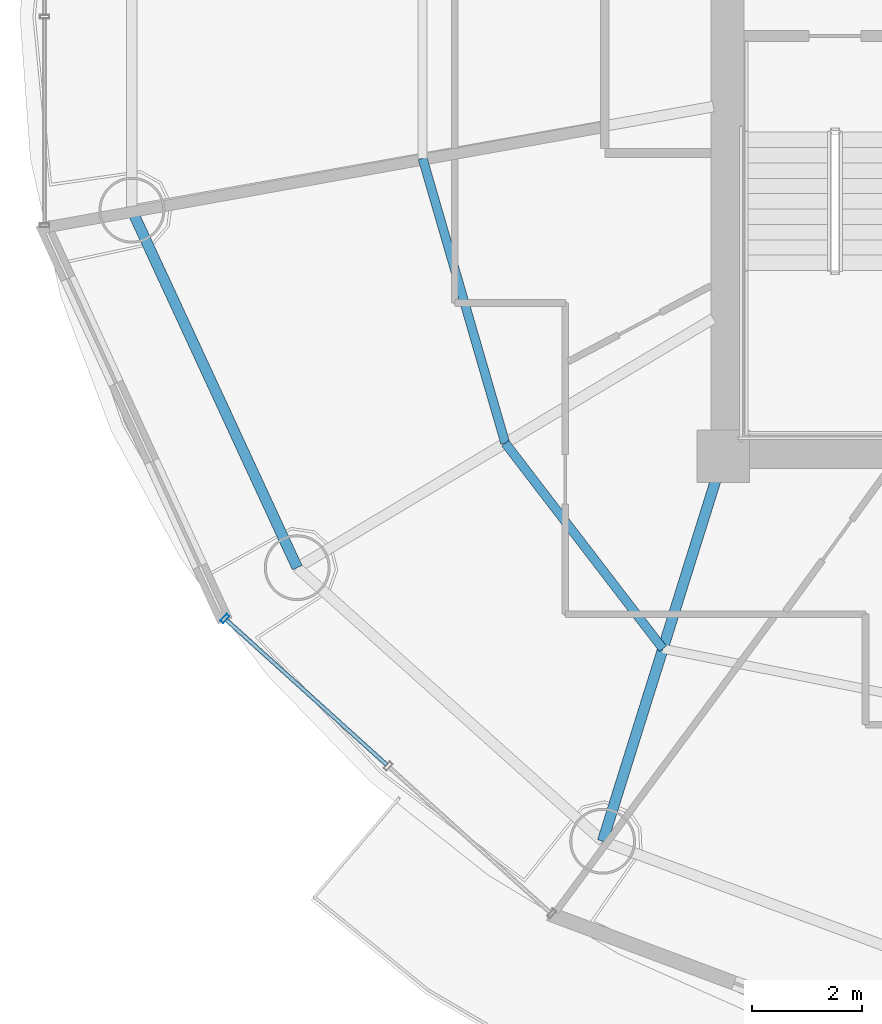
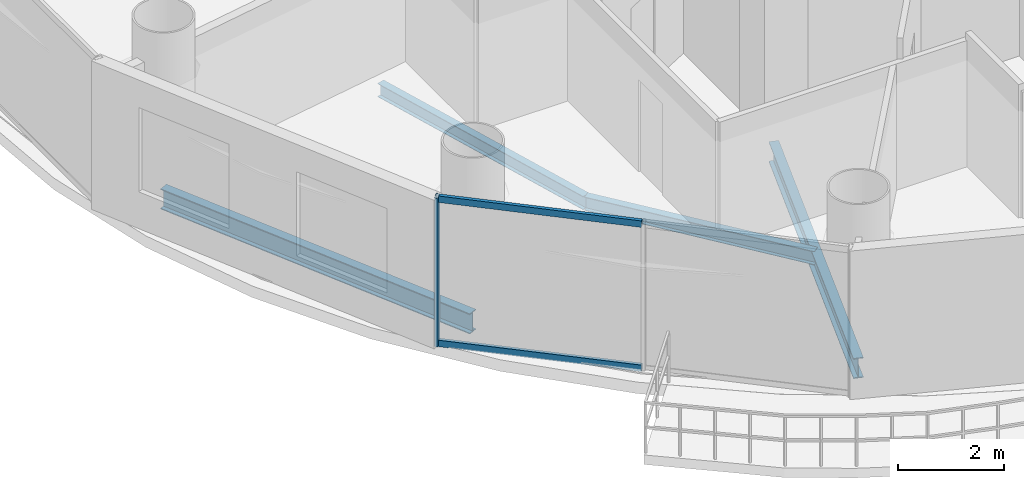
# One storey, part 3 of 27: 4 beams, 3 members, 1 element without a shape of its own.
"""IFC4 building model written with IfcOpenShell, lengths in metres."""

from ifc_helpers import new_model, si_unit, direction, frame, origin, origin_2d, place, context, subcontext, project, spatial, hollow_rectangle, i_section, extrude, source, transform, mapped, material, material_profile, profile_set, type_object, element, aggregate, save


model = new_model("IFC4")

# Units and contexts
model_context = context("Model", 3, precision=1e-05, world=origin(), true_north=direction((-0.2419218956, 0.970295726276)))
body_context = subcontext(model_context, "Body", "Model", "MODEL_VIEW")
ifc_project = project(units=[si_unit("LENGTHUNIT", "METRE"), si_unit("AREAUNIT", "SQUARE_METRE"), si_unit("VOLUMEUNIT", "CUBIC_METRE"), si_unit("PLANEANGLEUNIT", "RADIAN"), si_unit("MASSUNIT", "GRAM", prefix="KILO")], contexts=[model_context])

# Site, building, storey
site_placement = place(None, origin())
site = spatial("IfcSite", under=ifc_project, at=site_placement, CompositionType="ELEMENT")
building_placement = place(site_placement, origin())
building = spatial("IfcBuilding", under=site, at=building_placement, Name="Cobrevalo Terracotta Tower", CompositionType="ELEMENT")
storey_placement = place(building_placement, frame((0.0, 0.0, 194.89990234375)))
storey = spatial("IfcBuildingStorey", under=building, at=storey_placement, Name="L51", CompositionType="ELEMENT", Elevation=194.89990234375)

# Beams
ifc_material_1 = material(Name="Steel S355", Category="steel")
ifc_material_profile_1 = material_profile(ifc_material_1, i_section(OverallWidth=0.194091796875, OverallDepth=0.468994140625, WebThickness=0.011474609375, FlangeThickness=0.0205078125, at=origin_2d()), Name="W 460x106")
ifc_profile_set_1 = profile_set([ifc_material_profile_1], Name="Steel S355")
beam_type_1 = type_object("IfcBeamType", Name="Structural Beam W 460x106 (Steel S355)", PredefinedType="BEAM", material=ifc_profile_set_1)
beam_1_placement = place(storey_placement, frame((26.80517578125, 11.7919921875, -0.49951171875), z_axis=(0.298871212691, 0.954293454984, 0.0), x_axis=(-0.954293454984, 0.298871212691, 0.0)))
element("IfcBeam", 1, at=beam_1_placement, inside=storey, type_object=beam_type_1, Name="L51 radial floor girder 11", PredefinedType="BEAM", context=body_context, shape_type="SweptSolid", body=[
    extrude(i_section(OverallWidth=0.194091796875, OverallDepth=0.468994140625, WebThickness=0.011474609375, FlangeThickness=0.0205078125, at=origin_2d()), origin(), (0.0, 0.0, 1.0), 7.34375),
])
ifc_material_profile_2 = material_profile(ifc_material_1, i_section(OverallWidth=0.1650390625, OverallDepth=0.31005859375, WebThickness=0.005859375, FlangeThickness=0.009765625, at=origin_2d()), Name="W 310x38.7")
ifc_profile_set_2 = profile_set([ifc_material_profile_2], Name="Steel S355")
beam_type_2 = type_object("IfcBeamType", Name="Structural Joist W 310x38.7 (Steel S355)", PredefinedType="JOIST", material=ifc_profile_set_2)
beam_2_placement = place(storey_placement, frame((23.528564453125, 24.221435546875, -0.419921875), z_axis=(0.278757705995, -0.960361463902, 0.0), x_axis=(0.960361463902, 0.278757705995, 0.0)))
element("IfcBeam", 2, at=beam_2_placement, inside=storey, type_object=beam_type_2, Name="L51 circumferential secondary floor joist 09", PredefinedType="JOIST", context=body_context, shape_type="SweptSolid", body=[
    extrude(i_section(OverallWidth=0.1650390625, OverallDepth=0.31005859375, WebThickness=0.005859375, FlangeThickness=0.009765625, at=origin_2d()), origin(), (0.0, 0.0, 1.0), 5.396728515625),
])
beam_3_placement = place(storey_placement, frame((25.032958984375, 19.03857421875, -0.419921875), z_axis=(0.608464146296, -0.793581364872, 0.0), x_axis=(0.793581364872, 0.608464146296, 0.0)))
element("IfcBeam", 3, at=beam_3_placement, inside=storey, type_object=beam_type_2, Name="L51 circumferential secondary floor joist 10", PredefinedType="JOIST", context=body_context, shape_type="SweptSolid", body=[
    extrude(i_section(OverallWidth=0.1650390625, OverallDepth=0.31005859375, WebThickness=0.005859375, FlangeThickness=0.009765625, at=origin_2d()), origin(), (0.0, 0.0, 1.0), 4.716064453125),
])
ifc_material_profile_3 = material_profile(ifc_material_1, i_section(OverallWidth=0.194091796875, OverallDepth=0.468994140625, WebThickness=0.011474609375, FlangeThickness=0.0205078125, at=origin_2d()), Name="W 460x106")
ifc_profile_set_3 = profile_set([ifc_material_profile_3], Name="Steel S355")
beam_type_3 = type_object("IfcBeamType", Name="Structural Spandrel W 460x106 (Steel S355)", PredefinedType="SPANDREL", material=ifc_profile_set_3)
beam_4_placement = place(storey_placement, frame((18.237060546875, 23.278564453125, -0.49951171875), z_axis=(0.419718939129, -0.90765412583, 0.0), x_axis=(0.90765412583, 0.419718939129, 0.0)))
element("IfcBeam", 4, at=beam_4_placement, inside=storey, type_object=beam_type_3, Name="L51 perimeter ring spandrel 09", PredefinedType="SPANDREL", context=body_context, shape_type="SweptSolid", body=[
    extrude(i_section(OverallWidth=0.194091796875, OverallDepth=0.468994140625, WebThickness=0.011474609375, FlangeThickness=0.0205078125, at=origin_2d()), origin(), (0.0, 0.0, 1.0), 7.168701171875),
])

# Curtain wall, members
ifc_material_2 = material(Name="Anodized aluminium", Category="aluminium")
curtain_wall_type = type_object("IfcCurtainWallType", Name="Mid-tower high-wind unitised curtain wall CW-U2", PredefinedType="NOTDEFINED", material=ifc_material_2)
curtain_wall_placement = place(storey_placement, origin())
curtain_wall = element("IfcCurtainWall", 5, at=curtain_wall_placement, inside=storey, type_object=curtain_wall_type, Name="L51 curtain wall CW-L51-S10", PredefinedType="NOTDEFINED")
ifc_material_profile_4 = material_profile(ifc_material_2, hollow_rectangle(XDim=0.074951171875, YDim=0.14990234375, WallThickness=0.00439453125, at=origin_2d()), Name="CWT 75x150")
ifc_profile_set_4 = profile_set([ifc_material_profile_4], Name="Anodized aluminium")
member_type_1 = type_object("IfcMemberType", Name="Tower unitised aluminium transom 75x150", PredefinedType="USERDEFINED", material=ifc_profile_set_4)
shared_shape_1 = source(origin(), body_context, "Body", "SweptSolid", [
    extrude(hollow_rectangle(XDim=0.074951171875, YDim=0.14990234375, WallThickness=0.00439453125, at=origin_2d()), origin(), (0.0, 0.0, 1.0), 3.927490234375),
])
member_1_placement = place(storey_placement, frame((19.958251953125, 15.818359375, 0.050048828125), z_axis=(0.741975952623, -0.670426495396, 0.0), x_axis=(0.670426495396, 0.741975952623, 0.0)))
member_1 = element("IfcMember", 6, at=member_1_placement, type_object=member_type_1, Name="CW-L51-S10 transom B01-T1", ObjectType="TRANSOM", PredefinedType="USERDEFINED", context=body_context, shape_type="MappedRepresentation", body=[
    mapped(shared_shape_1, transform((0.0, 0.0, 0.0), scale=1.0)),
])
member_2_placement = place(storey_placement, frame((19.958251953125, 15.818359375, 3.385009765625), z_axis=(0.741975952623, -0.670426495396, 0.0), x_axis=(0.670426495396, 0.741975952623, 0.0)))
member_2 = element("IfcMember", 7, at=member_2_placement, type_object=member_type_1, Name="CW-L51-S10 transom B01-T2", ObjectType="TRANSOM", PredefinedType="USERDEFINED", context=body_context, shape_type="MappedRepresentation", body=[
    mapped(shared_shape_1, transform((0.0, 0.0, 0.0), scale=1.0)),
])
ifc_material_profile_5 = material_profile(ifc_material_2, hollow_rectangle(XDim=0.070068359375, YDim=0.169921875, WallThickness=0.00439453125, at=origin_2d()), Name="CWM 70x170")
ifc_profile_set_5 = profile_set([ifc_material_profile_5], Name="Anodized aluminium")
member_type_2 = type_object("IfcMemberType", Name="Upper tower unitised mullion 70x170", PredefinedType="MULLION", material=ifc_profile_set_5)
shared_shape_2 = source(origin(), body_context, "Body", "SweptSolid", [
    extrude(hollow_rectangle(XDim=0.070068359375, YDim=0.169921875, WallThickness=0.00439453125, at=origin_2d()), origin(), (0.0, 0.0, 1.0), 3.43505859375),
])
member_3_placement = place(storey_placement, frame((19.928466796875, 15.84521484375, 0.0), z_axis=(0.0, 0.0, 1.0), x_axis=(0.741987542015, -0.670413668935, 0.0)))
member_3 = element("IfcMember", 8, at=member_3_placement, type_object=member_type_2, Name="CW-L51-S10 vertical mullion 01", PredefinedType="MULLION", context=body_context, shape_type="MappedRepresentation", body=[
    mapped(shared_shape_2, transform((0.0, 0.0, 0.0), scale=1.0)),
])
aggregate(curtain_wall, [member_3, member_1, member_2])

save(model, "model.ifc")
